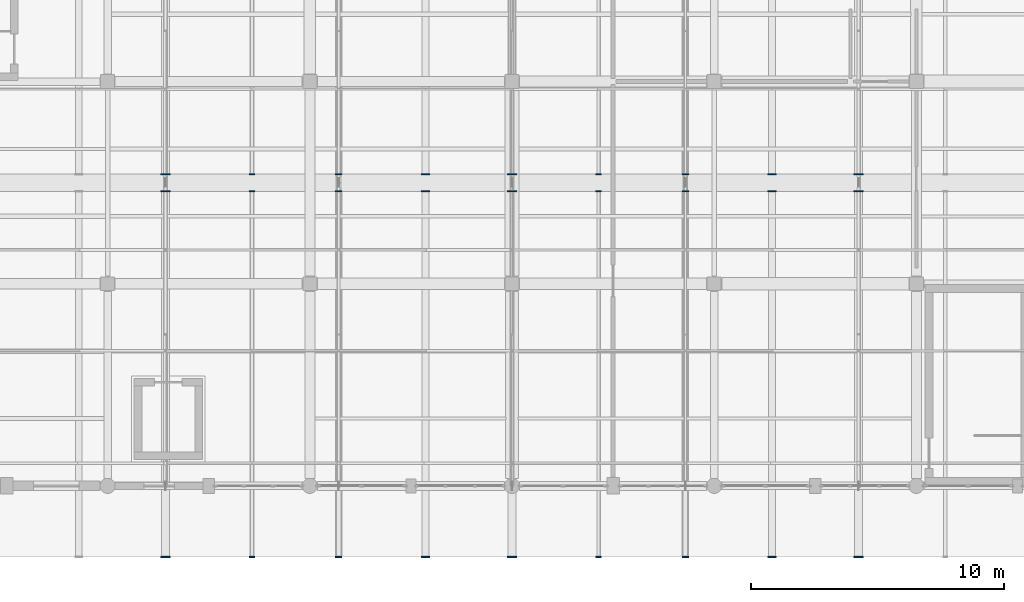
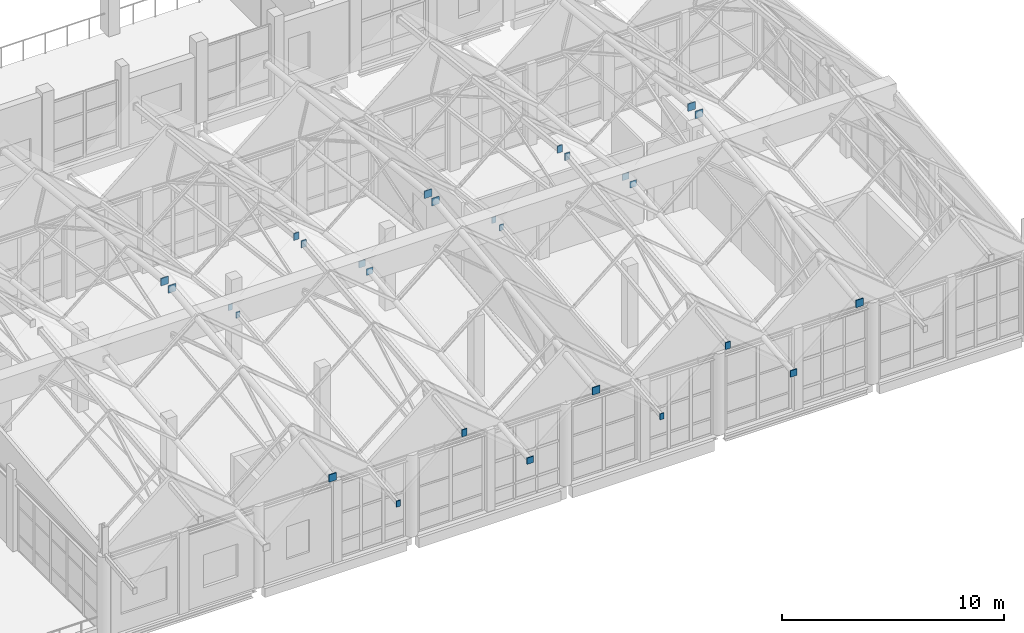
# One storey, part 162 of 183: 27 discrete accessories.
"""IFC4 building model written with IfcOpenShell, lengths in metres."""

from ifc_helpers import new_model, si_unit, direction, frame, origin, origin_2d, place, context, subcontext, project, spatial, rectangle, extrude, material, type_object, element, save


model = new_model("IFC4")

# Units and contexts
model_context = context("Model", 3, precision=1e-05, world=origin(), true_north=direction((0.0, 1.0)))
body_context = subcontext(model_context, "Body", "Model", "MODEL_VIEW")
ifc_project = project(units=[si_unit("LENGTHUNIT", "METRE"), si_unit("AREAUNIT", "SQUARE_METRE"), si_unit("VOLUMEUNIT", "CUBIC_METRE"), si_unit("PLANEANGLEUNIT", "RADIAN"), si_unit("MASSUNIT", "GRAM", prefix="KILO")], contexts=[model_context])

# Site, building, storey
site_placement = place(None, origin())
site = spatial("IfcSite", under=ifc_project, at=site_placement, CompositionType="ELEMENT")
building_placement = place(site_placement, origin())
building = spatial("IfcBuilding", under=site, at=building_placement, Name="Luwemba Playhouse", CompositionType="ELEMENT")
storey_placement = place(building_placement, frame((0.0, 0.0, 4.800048828125)))
storey = spatial("IfcBuildingStorey", under=building, at=storey_placement, Name="L01", CompositionType="ELEMENT", Elevation=4.800048828125)

# Discrete accessories
ifc_material = material(Name="Steel S355", Category="steel")
discrete_accessory_type = type_object("IfcDiscreteAccessoryType", Name="ACC-ENDCAP-S355", PredefinedType="BRACKET", material=ifc_material)
for number, where, z_axis, x_axis, name in (
    (1, (134.28564453125, 0.18505859375, 6.603515625), (0.0, 0.0, 1.0), (1.0, 0.0, 0.0), "Welded RHS end cap plate 0389"),
    (2, (134.28564453125, 14.664794921875, 8.22509765625), (0.0, 0.0, 1.0), (1.0, 0.0, 0.0), "Welded RHS end cap plate 0390"),
    (3, (134.28564453125, 15.335205078125, 8.22509765625), (0.0, 0.0, 1.0), (1.0, 0.0, 0.0), "Welded RHS end cap plate 0391"),
):
    element("IfcDiscreteAccessory", number, at=place(storey_placement, frame(where, z_axis=z_axis, x_axis=x_axis)), inside=storey, type_object=discrete_accessory_type, Name=name, PredefinedType="BRACKET", context=body_context, shape_type="SweptSolid", body=[
        extrude(rectangle(XDim=0.384033203125, YDim=0.044921875, at=origin_2d()), origin(), (0.0, 0.0, 1.0), 0.404052734375),
    ])
for number, where, z_axis, x_axis, name in (
    (4, (137.71435546875, 0.18505859375, 3.99951171875), (0.0, 0.0, 1.0), (1.0, 0.0, 0.0), "Welded RHS end cap plate 0393"),
    (5, (137.71435546875, 14.664794921875, 5.621337890625), (0.0, 0.0, 1.0), (1.0, 0.0, 0.0), "Welded RHS end cap plate 0394"),
    (6, (137.71435546875, 15.335205078125, 5.621337890625), (0.0, 0.0, 1.0), (1.0, 0.0, 0.0), "Welded RHS end cap plate 0395"),
):
    element("IfcDiscreteAccessory", number, at=place(storey_placement, frame(where, z_axis=z_axis, x_axis=x_axis)), inside=storey, type_object=discrete_accessory_type, Name=name, PredefinedType="BRACKET", context=body_context, shape_type="SweptSolid", body=[
        extrude(rectangle(XDim=0.2099609375, YDim=0.044921875, at=origin_2d()), origin(), (0.0, 0.0, 1.0), 0.330078125),
    ])
for number, where, z_axis, x_axis, name in (
    (7, (141.142822265625, 0.18505859375, 6.678955078125), (0.0, 0.0, 1.0), (1.0, 0.0, 0.0), "Welded RHS end cap plate 0397"),
    (8, (141.142822265625, 14.664794921875, 8.30078125), (0.0, 0.0, 1.0), (1.0, 0.0, 0.0), "Welded RHS end cap plate 0398"),
    (9, (141.142822265625, 15.335205078125, 8.30078125), (0.0, 0.0, 1.0), (1.0, 0.0, 0.0), "Welded RHS end cap plate 0399"),
):
    element("IfcDiscreteAccessory", number, at=place(storey_placement, frame(where, z_axis=z_axis, x_axis=x_axis)), inside=storey, type_object=discrete_accessory_type, Name=name, PredefinedType="BRACKET", context=body_context, shape_type="SweptSolid", body=[
        extrude(rectangle(XDim=0.260009765625, YDim=0.044921875, at=origin_2d()), origin(), (0.0, 0.0, 1.0), 0.3798828125),
    ])
for number, where, z_axis, x_axis, name in (
    (10, (144.5712890625, 0.18505859375, 3.9765625), (0.0, 0.0, 1.0), (1.0, 0.0, 0.0), "Welded RHS end cap plate 0401"),
    (11, (144.5712890625, 14.664794921875, 5.598388671875), (0.0, 0.0, 1.0), (1.0, 0.0, 0.0), "Welded RHS end cap plate 0402"),
    (12, (144.5712890625, 15.335205078125, 5.598388671875), (0.0, 0.0, 1.0), (1.0, 0.0, 0.0), "Welded RHS end cap plate 0403"),
):
    element("IfcDiscreteAccessory", number, at=place(storey_placement, frame(where, z_axis=z_axis, x_axis=x_axis)), inside=storey, type_object=discrete_accessory_type, Name=name, PredefinedType="BRACKET", context=body_context, shape_type="SweptSolid", body=[
        extrude(rectangle(XDim=0.3330078125, YDim=0.044921875, at=origin_2d()), origin(), (0.0, 0.0, 1.0), 0.35302734375),
    ])
for number, where, z_axis, x_axis, name in (
    (13, (148.0, 0.18505859375, 6.603515625), (0.0, 0.0, 1.0), (1.0, 0.0, 0.0), "Welded RHS end cap plate 0405"),
    (14, (148.0, 14.664794921875, 8.22509765625), (0.0, 0.0, 1.0), (1.0, 0.0, 0.0), "Welded RHS end cap plate 0406"),
    (15, (148.0, 15.335205078125, 8.22509765625), (0.0, 0.0, 1.0), (1.0, 0.0, 0.0), "Welded RHS end cap plate 0407"),
):
    element("IfcDiscreteAccessory", number, at=place(storey_placement, frame(where, z_axis=z_axis, x_axis=x_axis)), inside=storey, type_object=discrete_accessory_type, Name=name, PredefinedType="BRACKET", context=body_context, shape_type="SweptSolid", body=[
        extrude(rectangle(XDim=0.384033203125, YDim=0.044921875, at=origin_2d()), origin(), (0.0, 0.0, 1.0), 0.404052734375),
    ])
for number, where, z_axis, x_axis, name in (
    (16, (151.4287109375, 0.18505859375, 3.99951171875), (0.0, 0.0, 1.0), (1.0, 0.0, 0.0), "Welded RHS end cap plate 0409"),
    (17, (151.4287109375, 14.664794921875, 5.621337890625), (0.0, 0.0, 1.0), (1.0, 0.0, 0.0), "Welded RHS end cap plate 0410"),
    (18, (151.4287109375, 15.335205078125, 5.621337890625), (0.0, 0.0, 1.0), (1.0, 0.0, 0.0), "Welded RHS end cap plate 0411"),
):
    element("IfcDiscreteAccessory", number, at=place(storey_placement, frame(where, z_axis=z_axis, x_axis=x_axis)), inside=storey, type_object=discrete_accessory_type, Name=name, PredefinedType="BRACKET", context=body_context, shape_type="SweptSolid", body=[
        extrude(rectangle(XDim=0.2099609375, YDim=0.044921875, at=origin_2d()), origin(), (0.0, 0.0, 1.0), 0.330078125),
    ])
for number, where, z_axis, x_axis, name in (
    (19, (154.857177734375, 0.18505859375, 6.678955078125), (0.0, 0.0, 1.0), (1.0, 0.0, 0.0), "Welded RHS end cap plate 0413"),
    (20, (154.857177734375, 14.664794921875, 8.30078125), (0.0, 0.0, 1.0), (1.0, 0.0, 0.0), "Welded RHS end cap plate 0414"),
    (21, (154.857177734375, 15.335205078125, 8.30078125), (0.0, 0.0, 1.0), (1.0, 0.0, 0.0), "Welded RHS end cap plate 0415"),
):
    element("IfcDiscreteAccessory", number, at=place(storey_placement, frame(where, z_axis=z_axis, x_axis=x_axis)), inside=storey, type_object=discrete_accessory_type, Name=name, PredefinedType="BRACKET", context=body_context, shape_type="SweptSolid", body=[
        extrude(rectangle(XDim=0.260009765625, YDim=0.044921875, at=origin_2d()), origin(), (0.0, 0.0, 1.0), 0.3798828125),
    ])
for number, where, z_axis, x_axis, name in (
    (22, (158.28564453125, 0.18505859375, 3.9765625), (0.0, 0.0, 1.0), (1.0, 0.0, 0.0), "Welded RHS end cap plate 0417"),
    (23, (158.28564453125, 14.664794921875, 5.598388671875), (0.0, 0.0, 1.0), (1.0, 0.0, 0.0), "Welded RHS end cap plate 0418"),
    (24, (158.28564453125, 15.335205078125, 5.598388671875), (0.0, 0.0, 1.0), (1.0, 0.0, 0.0), "Welded RHS end cap plate 0419"),
):
    element("IfcDiscreteAccessory", number, at=place(storey_placement, frame(where, z_axis=z_axis, x_axis=x_axis)), inside=storey, type_object=discrete_accessory_type, Name=name, PredefinedType="BRACKET", context=body_context, shape_type="SweptSolid", body=[
        extrude(rectangle(XDim=0.3330078125, YDim=0.044921875, at=origin_2d()), origin(), (0.0, 0.0, 1.0), 0.35302734375),
    ])
for number, where, z_axis, x_axis, name in (
    (25, (161.71435546875, 0.18505859375, 6.603515625), (0.0, 0.0, 1.0), (1.0, 0.0, 0.0), "Welded RHS end cap plate 0421"),
    (26, (161.71435546875, 14.664794921875, 8.22509765625), (0.0, 0.0, 1.0), (1.0, 0.0, 0.0), "Welded RHS end cap plate 0422"),
    (27, (161.71435546875, 15.335205078125, 8.22509765625), (0.0, 0.0, 1.0), (1.0, 0.0, 0.0), "Welded RHS end cap plate 0423"),
):
    element("IfcDiscreteAccessory", number, at=place(storey_placement, frame(where, z_axis=z_axis, x_axis=x_axis)), inside=storey, type_object=discrete_accessory_type, Name=name, PredefinedType="BRACKET", context=body_context, shape_type="SweptSolid", body=[
        extrude(rectangle(XDim=0.384033203125, YDim=0.044921875, at=origin_2d()), origin(), (0.0, 0.0, 1.0), 0.404052734375),
    ])

save(model, "model.ifc")
